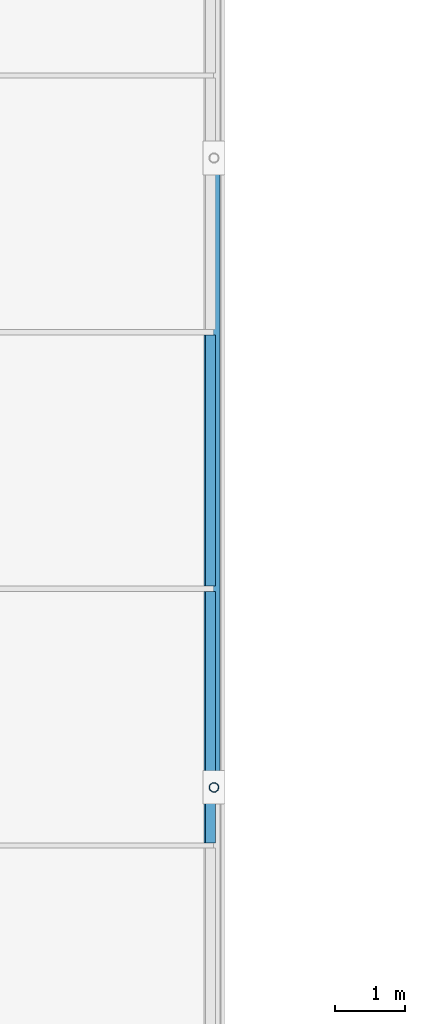
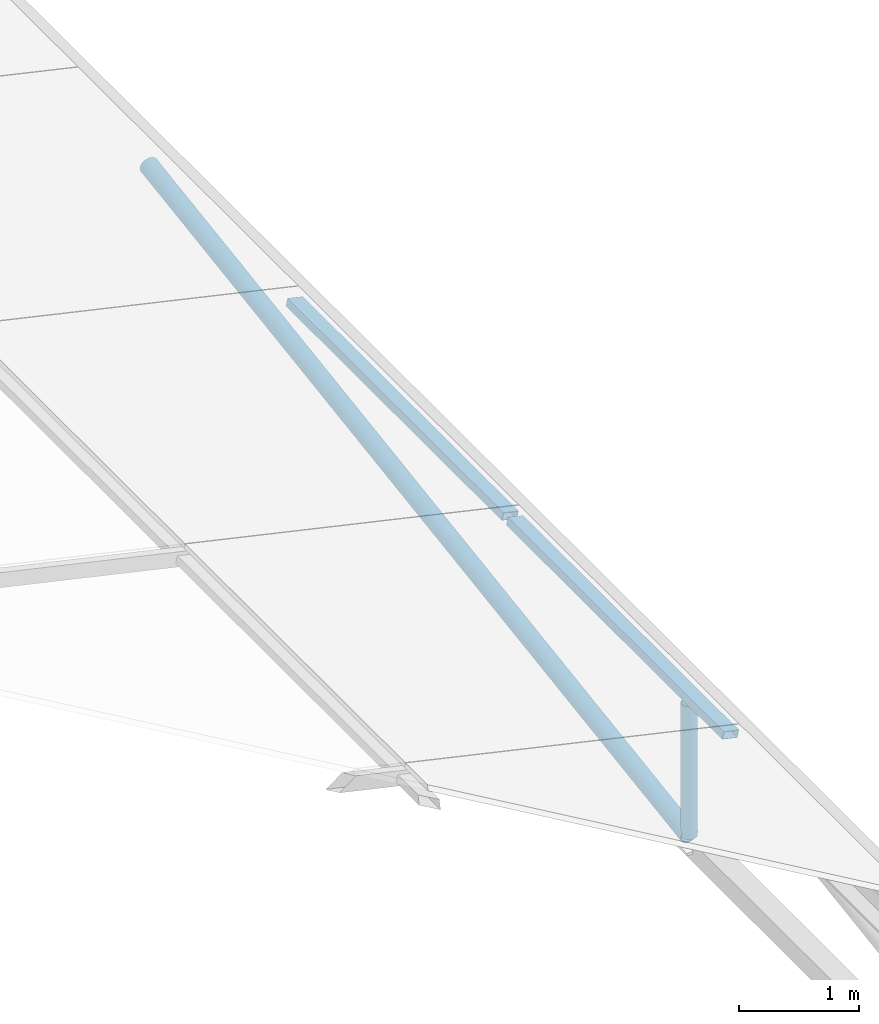
# One storey, part 88 of 130: 4 members, 1 element without a shape of its own.
"""IFC4 building model written with IfcOpenShell, lengths in metres."""

from ifc_helpers import new_model, si_unit, direction, frame, origin, origin_2d, place, context, subcontext, project, spatial, hollow_rectangle, hollow_circle, extrude, material, material_profile, profile_set, type_object, element, aggregate, save


model = new_model("IFC4")

# Units and contexts
model_context = context("Model", 3, precision=1e-05, world=origin(), true_north=direction((0.0, 1.0)))
body_context = subcontext(model_context, "Body", "Model", "MODEL_VIEW")
ifc_project = project(units=[si_unit("LENGTHUNIT", "METRE"), si_unit("AREAUNIT", "SQUARE_METRE"), si_unit("VOLUMEUNIT", "CUBIC_METRE"), si_unit("PLANEANGLEUNIT", "RADIAN"), si_unit("MASSUNIT", "GRAM", prefix="KILO")], contexts=[model_context])

# Site, building, storey
site_placement = place(None, origin())
site = spatial("IfcSite", under=ifc_project, at=site_placement, CompositionType="ELEMENT")
building_placement = place(site_placement, origin())
building = spatial("IfcBuilding", under=site, at=building_placement, Name="Lykobir Media Centre", CompositionType="ELEMENT")
storey_placement = place(building_placement, frame((0.0, 0.0, 19.199951171875)))
storey = spatial("IfcBuildingStorey", under=building, at=storey_placement, Name="L04", CompositionType="ELEMENT", Elevation=19.199951171875)

# Members
ifc_material_1 = material(Name="Steel S355", Category="steel")
ifc_material_profile_1 = material_profile(ifc_material_1, hollow_circle(Radius=0.06982421875, WallThickness=0.008056640625, at=origin_2d()), Name="CHS 139.7x8.0")
ifc_profile_set_1 = profile_set([ifc_material_profile_1], Name="Steel S355")
member_type_1 = type_object("IfcMemberType", Name="BR-CHS140-E", PredefinedType="BRACE", material=ifc_profile_set_1)
member_1_placement = place(storey_placement, frame((81.0, 90.0, 0.739990234375), z_axis=(0.0, 0.0, -1.0), x_axis=(1.0, 0.0, 0.0)))
element("IfcMember", 1, at=member_1_placement, inside=storey, type_object=member_type_1, Name="Diagonal brace MEM2-L04-0810-0900-0199-0810-0900-0504", PredefinedType="BRACE", context=body_context, shape_type="SweptSolid", body=[
    extrude(hollow_circle(Radius=0.06982421875, WallThickness=0.008056640625, at=origin_2d()), origin(), (0.0, 0.0, 1.0), 1.349853515625),
])
ifc_material_profile_2 = material_profile(ifc_material_1, hollow_circle(Radius=0.084228515625, WallThickness=0.010009765625, at=origin_2d()), Name="CHS 168.3x10.0")
ifc_profile_set_2 = profile_set([ifc_material_profile_2], Name="Steel S355")
member_type_2 = type_object("IfcMemberType", Name="BR-CHS168-E", PredefinedType="BRACE", material=ifc_profile_set_2)
member_2_placement = place(storey_placement, frame((81.0, 90.0, -0.60986328125), z_axis=(0.0, 0.988938714016, 0.148324711095), x_axis=(-1.0, 0.0, 0.0)))
element("IfcMember", 2, at=member_2_placement, inside=storey, type_object=member_type_2, Name="Diagonal brace MEM2-L04-0810-0900-0186-0810-0990-0505", PredefinedType="BRACE", context=body_context, shape_type="SweptSolid", body=[
    extrude(hollow_circle(Radius=0.084228515625, WallThickness=0.010009765625, at=origin_2d()), origin(), (0.0, 0.0, 1.0), 9.1005859375),
])

# Curtain wall, members
ifc_material_2 = material(Name="Anodized Aluminium AW-6060", Category="aluminium")
curtain_wall_type = type_object("IfcCurtainWallType", Name="CW-V6-SKY", PredefinedType="NOTDEFINED", material=ifc_material_2)
curtain_wall_placement = place(storey_placement, origin())
curtain_wall = element("IfcCurtainWall", 3, at=curtain_wall_placement, inside=storey, type_object=curtain_wall_type, Name="Curtain wall CW-V6-SKY01", PredefinedType="NOTDEFINED")
ifc_material_profile_3 = material_profile(ifc_material_2, hollow_rectangle(XDim=0.074951171875, YDim=0.14990234375, WallThickness=0.00341796875, at=origin_2d()), Name="ALU TRANSOM 75x150")
ifc_profile_set_3 = profile_set([ifc_material_profile_3], Name="Anodized Aluminium AW-6060")
member_type_3 = type_object("IfcMemberType", Name="CWT-150", PredefinedType="USERDEFINED", material=ifc_profile_set_3)
member_3_placement = place(storey_placement, frame((80.941162109375, 96.472412109375, 0.909912109375), z_axis=(0.0, -1.0, 0.0), x_axis=(0.221054901821, 0.0, 0.975261365164)))
member_3 = element("IfcMember", 4, at=member_3_placement, type_object=member_type_3, Name="CW-V6-SKY01 transom 4.1", ObjectType="TRANSOM", PredefinedType="USERDEFINED", context=body_context, shape_type="SweptSolid", body=[
    extrude(hollow_rectangle(XDim=0.074951171875, YDim=0.14990234375, WallThickness=0.00341796875, at=origin_2d()), origin(), (0.0, 0.0, 1.0), 3.594970703125),
])
member_4_placement = place(storey_placement, frame((80.941162109375, 92.802490234375, 0.909912109375), z_axis=(0.0, -1.0, 0.0), x_axis=(0.221054901821, 0.0, 0.975261365164)))
member_4 = element("IfcMember", 5, at=member_4_placement, type_object=member_type_3, Name="CW-V6-SKY01 transom 5.1", ObjectType="TRANSOM", PredefinedType="USERDEFINED", context=body_context, shape_type="SweptSolid", body=[
    extrude(hollow_rectangle(XDim=0.074951171875, YDim=0.14990234375, WallThickness=0.00341796875, at=origin_2d()), origin(), (0.0, 0.0, 1.0), 3.594970703125),
])
aggregate(curtain_wall, [member_3, member_4])

save(model, "model.ifc")
